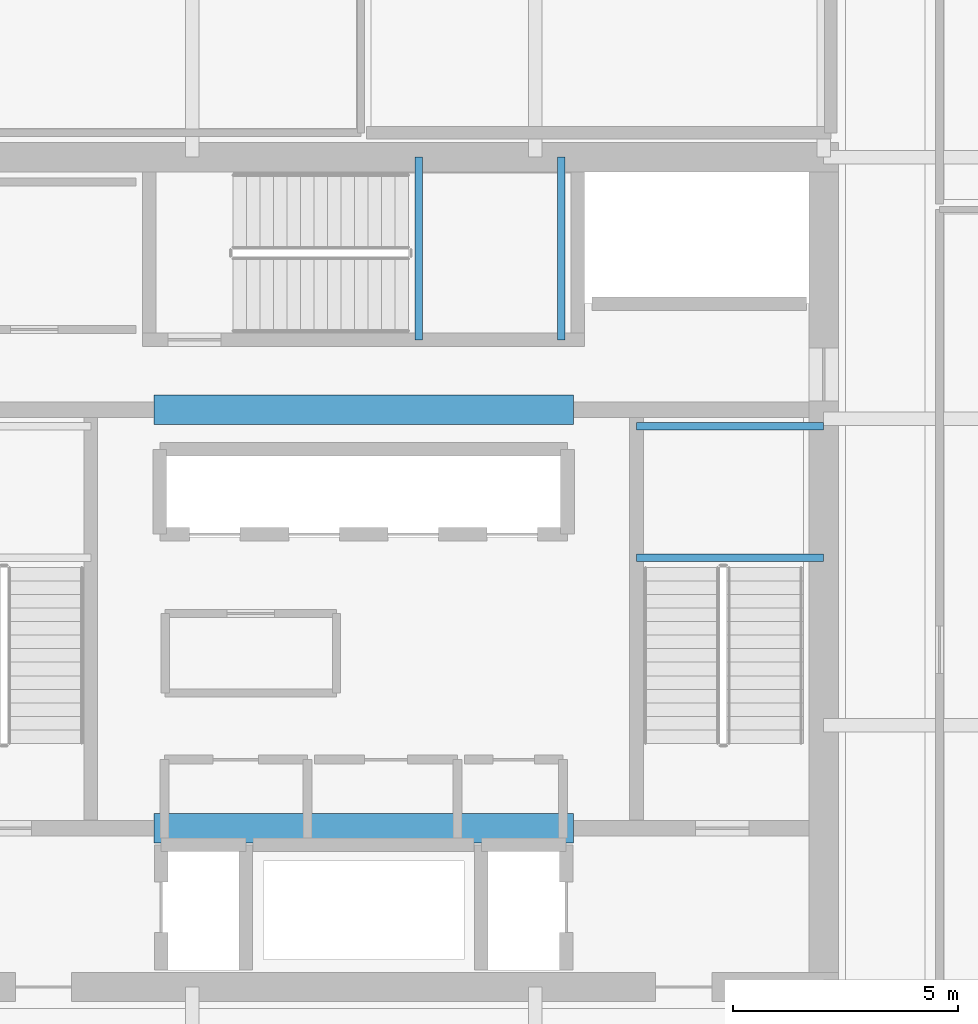
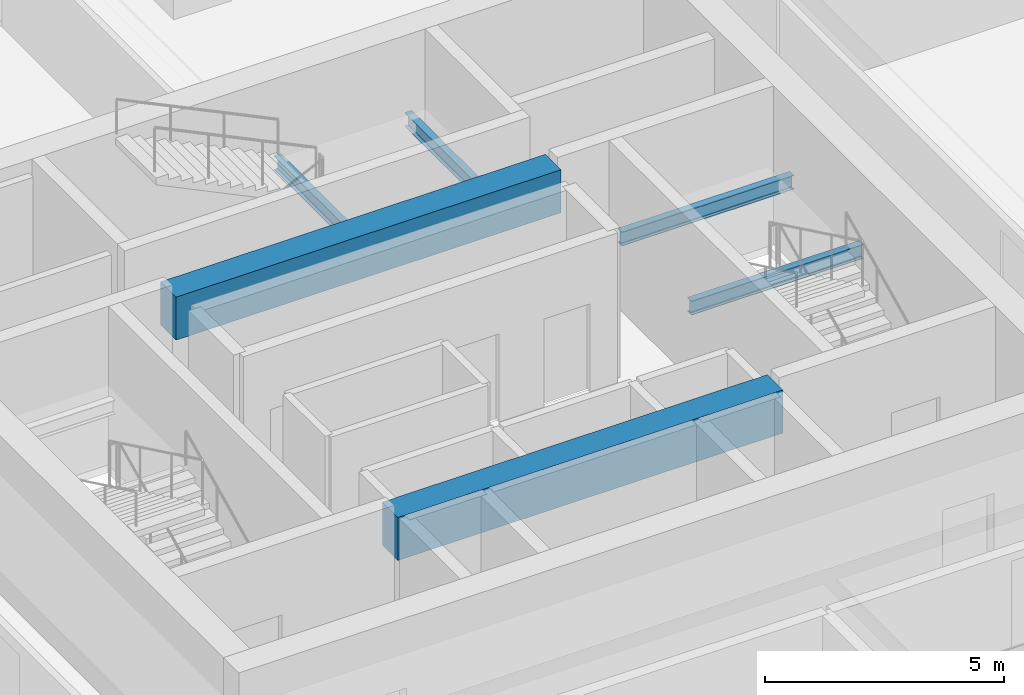
# One storey, part 12 of 35: 6 beams.
"""IFC4 building model written with IfcOpenShell, lengths in metres."""

from ifc_helpers import new_model, si_unit, direction, frame, origin, origin_2d, place, context, subcontext, project, spatial, rectangle, i_section, extrude, material, material_profile, profile_set, type_object, element, save


model = new_model("IFC4")

# Units and contexts
model_context = context("Model", 3, precision=1e-05, world=origin(), true_north=direction((0.0, 1.0)))
body_context = subcontext(model_context, "Body", "Model", "MODEL_VIEW")
ifc_project = project(units=[si_unit("LENGTHUNIT", "METRE"), si_unit("AREAUNIT", "SQUARE_METRE"), si_unit("VOLUMEUNIT", "CUBIC_METRE"), si_unit("PLANEANGLEUNIT", "RADIAN"), si_unit("MASSUNIT", "GRAM", prefix="KILO")], contexts=[model_context])

# Site, building, storey
site_placement = place(None, origin())
site = spatial("IfcSite", under=ifc_project, at=site_placement, CompositionType="ELEMENT")
building_placement = place(site_placement, origin())
building = spatial("IfcBuilding", under=site, at=building_placement, Name="Punatoya Terracotta Tower", CompositionType="ELEMENT")
storey_placement = place(building_placement, frame((0.0, 0.0, 216.75)))
storey = spatial("IfcBuildingStorey", under=building, at=storey_placement, Name="L51", CompositionType="ELEMENT", Elevation=216.75)

# Beams
ifc_material_1 = material(Name="Concrete C60/75", Category="concrete")
ifc_material_profile_1 = material_profile(ifc_material_1, rectangle(XDim=0.64990234375, YDim=1.10009765625, at=origin_2d()))
ifc_profile_set_1 = profile_set([ifc_material_profile_1], Name="Concrete C60/75")
beam_type_1 = type_object("IfcBeamType", Name="BM-RC-1100", PredefinedType="LINTEL", material=ifc_profile_set_1)
for number, where, z_axis, x_axis, name in (
    (1, (-4.64990234375, -5.679931640625, 3.280029296875), (1.0, 0.0, 0.0), (0.0, 1.0, 0.0), "L51 Core Coupling Lintel CSW"),
    (2, (-4.64990234375, 3.60009765625, 3.280029296875), (1.0, 0.0, 0.0), (0.0, 1.0, 0.0), "L51 Core Coupling Lintel CNW"),
):
    element("IfcBeam", number, at=place(storey_placement, frame(where, z_axis=z_axis, x_axis=x_axis)), inside=storey, type_object=beam_type_1, Name=name, PredefinedType="LINTEL", context=body_context, shape_type="SweptSolid", body=[
        extrude(rectangle(XDim=0.64990234375, YDim=1.10009765625, at=origin_2d()), origin(), (0.0, 0.0, 1.0), 9.2998046875),
    ])
ifc_material_2 = material(Name="Steel S355", Category="steel")
ifc_material_profile_2 = material_profile(ifc_material_2, i_section(OverallWidth=0.169921875, OverallDepth=0.360107421875, WebThickness=0.008056640625, FlangeThickness=0.0126953125, FilletRadius=0.01806640625, at=origin_2d()))
ifc_profile_set_2 = profile_set([ifc_material_profile_2], Name="Steel S355")
beam_type_2 = type_object("IfcBeamType", Name="BM-SEC-360", PredefinedType="JOIST", material=ifc_profile_set_2)
for number, where, z_axis, x_axis, name in (
    (3, (6.050048828125, 0.320068359375, 1.64501953125), (1.0, 0.0, 0.0), (0.0, 1.0, 0.0), "BM-L51-ST-2-LD1A"),
    (4, (6.050048828125, 3.22998046875, 1.64501953125), (1.0, 0.0, 0.0), (0.0, 1.0, 0.0), "BM-L51-ST-2-LD1B"),
):
    element("IfcBeam", number, at=place(storey_placement, frame(where, z_axis=z_axis, x_axis=x_axis)), inside=storey, type_object=beam_type_2, Name=name, PredefinedType="JOIST", context=body_context, shape_type="SweptSolid", body=[
        extrude(i_section(OverallWidth=0.169921875, OverallDepth=0.360107421875, WebThickness=0.008056640625, FlangeThickness=0.0126953125, FilletRadius=0.01806640625, at=origin_2d()), origin(), (0.0, 0.0, 1.0), 4.14990234375),
    ])
for number, where, z_axis, x_axis, name in (
    (5, (1.219970703125, 5.14990234375, 1.64501953125), (0.0, 1.0, 0.0), (-1.0, 0.0, 0.0), "BM-L51-ST-3-LD1A"),
    (6, (4.3798828125, 5.14990234375, 1.64501953125), (0.0, 1.0, 0.0), (-1.0, 0.0, 0.0), "BM-L51-ST-3-LD1B"),
):
    element("IfcBeam", number, at=place(storey_placement, frame(where, z_axis=z_axis, x_axis=x_axis)), inside=storey, type_object=beam_type_2, Name=name, PredefinedType="JOIST", context=body_context, shape_type="SweptSolid", body=[
        extrude(i_section(OverallWidth=0.169921875, OverallDepth=0.360107421875, WebThickness=0.008056640625, FlangeThickness=0.0126953125, FilletRadius=0.01806640625, at=origin_2d()), origin(), (0.0, 0.0, 1.0), 4.050048828125),
    ])

save(model, "model.ifc")
